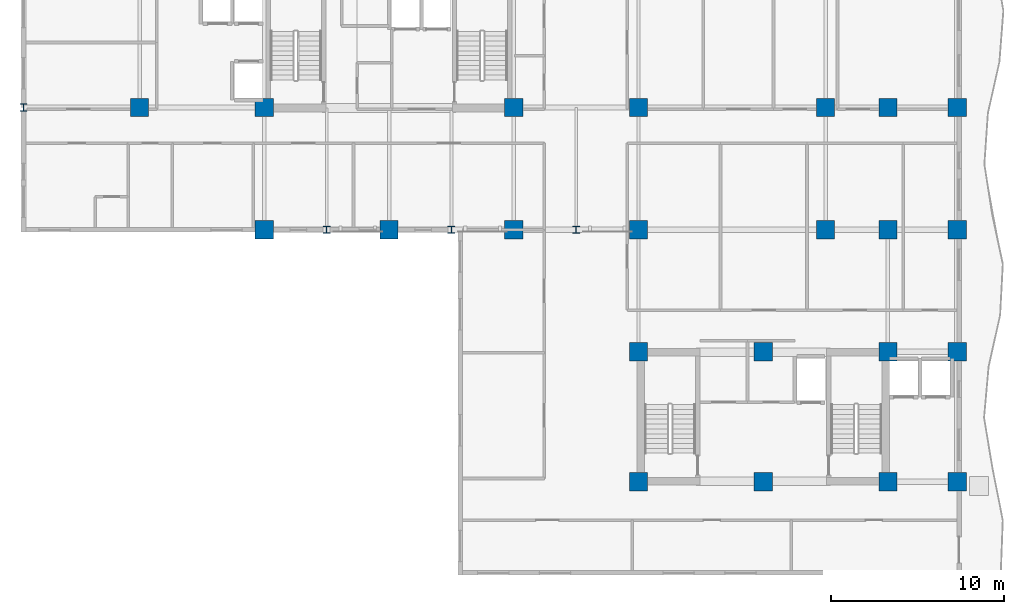
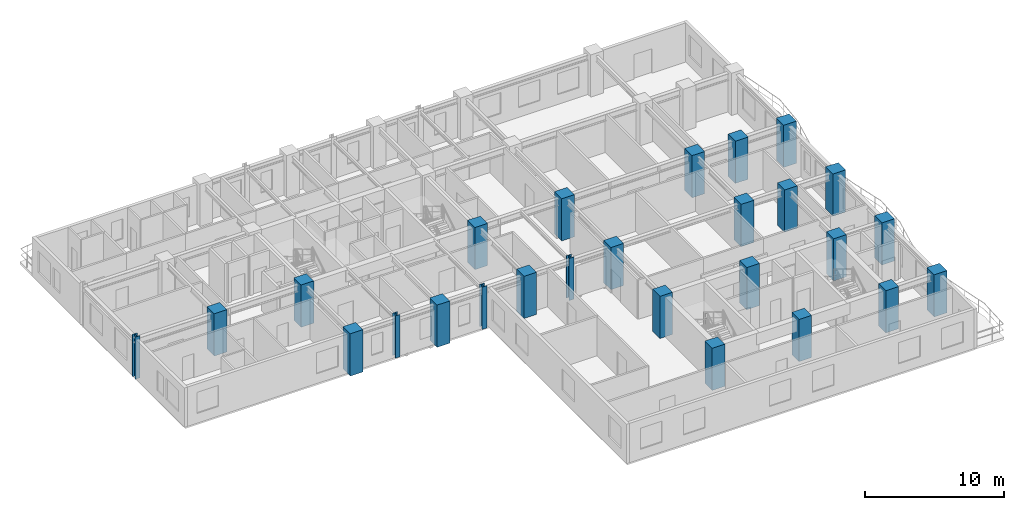
# One storey, part 1 of 13: 26 columns.
"""IFC4 building model written with IfcOpenShell, lengths in metres."""

import ifcopenshell
import ifcopenshell.guid

model = None  # the IFC model being written
_history = None  # IfcOwnerHistory: only IFC2X3 demands one
_inside = {}  # id of a spatial element -> (the spatial element, [elements in it])
_under = {}  # id of a project, library or spatial element -> (it, [spatial elements below it])
_declared = {}  # id of a project -> (the project, [libraries it declares])
_typed = {}  # id of a type object -> (the type object, [elements of that type])
_made_of = {}  # id of a material, layer set ... -> (it, [elements and type objects made of it])


def new_model(schema):
    """Start an empty IFC model of exactly this schema.

    Asked for "IFC4X3", IfcOpenShell would pick the latest addendum, in which some entities
    have other attributes; the version numbers below select the first issue.
    IFC2X3 requires an IfcOwnerHistory on every rooted entity: one is made here for all.
    """
    global model, _history
    if schema == "IFC4X3":
        model = ifcopenshell.file(schema_version=(4, 3, 0, 0))
    else:
        model = ifcopenshell.file(schema=schema)
    _inside.clear()
    _under.clear()
    _declared.clear()
    _typed.clear()
    _made_of.clear()
    _history = None
    if model.schema == "IFC2X3":
        org = make("IfcOrganization", Name="unknown")
        user = make(
            "IfcPersonAndOrganization",
            ThePerson=make("IfcPerson", FamilyName="unknown"),
            TheOrganization=org,
        )
        app = make(
            "IfcApplication",
            ApplicationDeveloper=org,
            Version="unknown",
            ApplicationFullName="unknown",
            ApplicationIdentifier="unknown",
        )
        _history = make(
            "IfcOwnerHistory",
            OwningUser=user,
            OwningApplication=app,
            ChangeAction="ADDED",
            CreationDate=0,
        )
    return model


def make(cls, **values):
    """One entity of the class cls with the attributes given. An attribute that is None is left unset."""
    return model.create_entity(
        cls, **{name: value for name, value in values.items() if value is not None}
    )


def rooted(cls, **values):
    """An entity with a GlobalId (a new one), such as an element, a storey or a relation."""
    return make(cls, GlobalId=ifcopenshell.guid.new(), OwnerHistory=_history, **values)


def si_unit(unit_type, name, prefix=None):
    """IfcSIUnit, for example si_unit("LENGTHUNIT", "METRE", prefix="MILLI")."""
    return make("IfcSIUnit", UnitType=unit_type, Prefix=prefix, Name=name)


def assignment(units):
    """IfcUnitAssignment: the units of a project."""
    return None if units is None else make("IfcUnitAssignment", Units=units)


def point(xyz):
    """IfcCartesianPoint."""
    return None if xyz is None else make("IfcCartesianPoint", Coordinates=xyz)


def direction(xyz):
    """IfcDirection."""
    return None if xyz is None else make("IfcDirection", DirectionRatios=xyz)


def frame(location, z_axis=None, x_axis=None):
    """IfcAxis2Placement3D, a coordinate frame: its origin and axes. An axis left out is left unset."""
    return make(
        "IfcAxis2Placement3D",
        Location=point(location),
        Axis=direction(z_axis),
        RefDirection=direction(x_axis),
    )


def frame_2d(location, x_axis=None):
    """IfcAxis2Placement2D, a coordinate frame in the plane: its origin and x axis."""
    return make(
        "IfcAxis2Placement2D", Location=point(location), RefDirection=direction(x_axis)
    )


def origin():
    """The frame at (0, 0, 0) with its axes left unset."""
    return frame((0.0, 0.0, 0.0))


def origin_2d():
    """The frame at (0, 0) in the plane with its x axis left unset."""
    return frame_2d((0.0, 0.0))


def place(relative_to, where):
    """IfcLocalPlacement: puts the frame where relative to a parent placement (None: the world)."""
    return make(
        "IfcLocalPlacement", PlacementRelTo=relative_to, RelativePlacement=where
    )


def context(
    kind, dimensions, precision=None, world=None, true_north=None, identifier=None
):
    """IfcGeometricRepresentationContext, for example the 3D "Model" context."""
    return make(
        "IfcGeometricRepresentationContext",
        ContextIdentifier=identifier,
        ContextType=kind,
        CoordinateSpaceDimension=dimensions,
        Precision=precision,
        WorldCoordinateSystem=world,
        TrueNorth=true_north,
    )


def subcontext(parent, identifier, kind, view, scale=None):
    """IfcGeometricRepresentationSubContext, for example "Body" below "Model"."""
    return make(
        "IfcGeometricRepresentationSubContext",
        ContextIdentifier=identifier,
        ContextType=kind,
        ParentContext=parent,
        TargetScale=scale,
        TargetView=view,
    )


def project(units=None, contexts=None):
    """IfcProject with its units and contexts."""
    return rooted(
        "IfcProject",
        Name="project",
        RepresentationContexts=contexts,
        UnitsInContext=assignment(units),
    )


def spatial(cls, under=None, at=None, **own):
    """A site, building, storey or space (cls), placed at a placement, below another one or the project."""
    s = rooted(cls, ObjectPlacement=at, **own)
    if under is not None:
        _under.setdefault(under.id(), (under, []))[1].append(s)
    return s


def profile(cls, at=None, kind="AREA", **sizes):
    """A parametric profile (cls). Its sizes go by their IFC names, for example OverallWidth=200.0."""
    return make(cls, ProfileType=kind, Position=at, **sizes)


def rectangle(**sizes):
    """IfcRectangleProfileDef."""
    return profile("IfcRectangleProfileDef", **sizes)


def i_section(**sizes):
    """IfcIShapeProfileDef."""
    return profile("IfcIShapeProfileDef", **sizes)


def extrude(swept, where, along, depth):
    """IfcExtrudedAreaSolid: the profile swept, set in the frame where, extruded along a direction by depth."""
    return make(
        "IfcExtrudedAreaSolid",
        SweptArea=swept,
        Position=where,
        ExtrudedDirection=direction(along),
        Depth=depth,
    )


def shape(context_of_items, identifier, shape_type, items):
    """IfcShapeRepresentation: the items that make up one representation, for example the "Body"."""
    return make(
        "IfcShapeRepresentation",
        ContextOfItems=context_of_items,
        RepresentationIdentifier=identifier,
        RepresentationType=shape_type,
        Items=items,
    )


def source(mapping_origin, context_of_items, identifier, shape_type, items):
    """IfcRepresentationMap: a shape defined once, which mapped items show again and again."""
    return make(
        "IfcRepresentationMap",
        MappingOrigin=mapping_origin,
        MappedRepresentation=shape(context_of_items, identifier, shape_type, items),
    )


def transform(
    local_origin,
    x_axis=None,
    y_axis=None,
    z_axis=None,
    scale=None,
    scale2=None,
    scale3=None,
    uniform=True,
):
    """IfcCartesianTransformationOperator3D, or its non-uniform kind. x_axis, y_axis, z_axis: its Axis1, 2, 3."""
    if uniform:
        return make(
            "IfcCartesianTransformationOperator3D",
            Axis1=direction(x_axis),
            Axis2=direction(y_axis),
            LocalOrigin=point(local_origin),
            Scale=scale,
            Axis3=direction(z_axis),
        )
    return make(
        "IfcCartesianTransformationOperator3DnonUniform",
        Axis1=direction(x_axis),
        Axis2=direction(y_axis),
        LocalOrigin=point(local_origin),
        Scale=scale,
        Axis3=direction(z_axis),
        Scale2=scale2,
        Scale3=scale3,
    )


def mapped(mapping_source, mapping_target):
    """IfcMappedItem: shows the shape of a source again, moved by a transform."""
    return make(
        "IfcMappedItem", MappingSource=mapping_source, MappingTarget=mapping_target
    )


def material(Name=None, Category=None):
    """IfcMaterial."""
    return make("IfcMaterial", Name=Name, Category=Category)


def material_profile(
    of_material, cross_section, Name=None, Category=None, Priority=None
):
    """IfcMaterialProfile: a cross section and its material."""
    return make(
        "IfcMaterialProfile",
        Name=Name,
        Material=of_material,
        Profile=cross_section,
        Priority=Priority,
        Category=Category,
    )


def profile_set(profiles, Name=None, composite=None):
    """IfcMaterialProfileSet."""
    return make(
        "IfcMaterialProfileSet",
        Name=Name,
        MaterialProfiles=profiles,
        CompositeProfile=composite,
    )


def made_of(thing, what):
    """Note that an element or type object is made of a material, layer set ...; save() writes the relation."""
    if what is not None:
        _made_of.setdefault(what.id(), (what, []))[1].append(thing)
    return thing


def type_object(cls, material=None, **own):
    """A type object (cls), such as IfcWallType, which elements share."""
    return made_of(rooted(cls, **own), material)


def element(
    cls,
    number,
    at=None,
    inside=None,
    cuts=None,
    type_object=None,
    material=None,
    context=None,
    identifier="Body",
    shape_type=None,
    held_by="IfcProductDefinitionShape",
    body=None,
    shapes=None,
    **own,
):
    """One element of the class cls, such as IfcWall. Its Tag is "e" and its number.

    at: its placement. inside: the storey or other place that contains it. cuts: it is an
    opening in that element (IfcRelVoidsElement). A single representation is given by context,
    identifier, shape_type and body (its items); several are given by shapes. held_by: the class
    of the entity that holds the representations. save() writes the other relations.
    """
    e = rooted(cls, Tag="e%d" % number, ObjectPlacement=at, **own)
    if body is not None:
        shapes = [shape(context, identifier, shape_type, body)]
    if shapes is not None:
        e.Representation = make(held_by, Representations=shapes)
    if inside is not None:
        _inside.setdefault(inside.id(), (inside, []))[1].append(e)
    if cuts is not None:
        rooted(
            "IfcRelVoidsElement", RelatingBuildingElement=cuts, RelatedOpeningElement=e
        )
    if type_object is not None:
        _typed.setdefault(type_object.id(), (type_object, []))[1].append(e)
    return made_of(e, material)


def aggregate(whole, parts):
    """IfcRelAggregates: a whole, such as a stair, and the parts it consists of."""
    return rooted("IfcRelAggregates", RelatingObject=whole, RelatedObjects=parts)


def save(model, path):
    """Write the relations noted so far, then the file.

    IfcRelAggregates (storeys below a building ...), IfcRelContainedInSpatialStructure (elements
    in a storey), IfcRelDefinesByType, IfcRelAssociatesMaterial and IfcRelDeclares: one each for
    every whole, place, type object, material and project.
    """
    for whole, parts in _under.values():
        aggregate(whole, parts)
    for where, things in _inside.values():
        rooted(
            "IfcRelContainedInSpatialStructure",
            RelatedElements=things,
            RelatingStructure=where,
        )
    for kind, things in _typed.values():
        rooted("IfcRelDefinesByType", RelatedObjects=things, RelatingType=kind)
    for what, things in _made_of.values():
        rooted("IfcRelAssociatesMaterial", RelatedObjects=things, RelatingMaterial=what)
    for by, libraries in _declared.values():
        rooted("IfcRelDeclares", RelatingContext=by, RelatedDefinitions=libraries)
    model.write(path)


model = new_model("IFC4")

# Units and contexts
model_context = context("Model", 3, precision=1e-05, world=origin(), true_north=direction((0.0, 1.0)))
body_context = subcontext(model_context, "Body", "Model", "MODEL_VIEW")
ifc_project = project(units=[si_unit("LENGTHUNIT", "METRE"), si_unit("AREAUNIT", "SQUARE_METRE"), si_unit("VOLUMEUNIT", "CUBIC_METRE"), si_unit("PLANEANGLEUNIT", "RADIAN"), si_unit("MASSUNIT", "GRAM", prefix="KILO")], contexts=[model_context])

# Site, building, storey
site_placement = place(None, origin())
site = spatial("IfcSite", under=ifc_project, at=site_placement, CompositionType="ELEMENT")
building_placement = place(site_placement, origin())
building = spatial("IfcBuilding", under=site, at=building_placement, Name="Kaliganga Portal Commons", CompositionType="ELEMENT")
storey_placement = place(building_placement, frame((0.0, 0.0, 158.699951171875)))
storey = spatial("IfcBuildingStorey", under=building, at=storey_placement, Name="L40", CompositionType="ELEMENT", Elevation=158.699951171875)

# Columns
ifc_material_1 = material(Name="Concrete C60/75", Category="concrete")
ifc_material_profile_1 = material_profile(ifc_material_1, rectangle(XDim=1.050048828125, YDim=1.050048828125, at=origin_2d()), Name="RC 1050x1050")
ifc_profile_set_1 = profile_set([ifc_material_profile_1], Name="Concrete C60/75")
column_type_1 = type_object("IfcColumnType", Name="COL-MEGA-Z3", PredefinedType="COLUMN", material=ifc_profile_set_1)
shared_shape_1 = source(origin(), body_context, "Body", "SweptSolid", [
    extrude(rectangle(XDim=1.050048828125, YDim=1.050048828125, at=origin_2d()), origin(), (0.0, 0.0, 1.0), 3.699951171875),
])
for number, where, z_axis, x_axis, name in (
    (1, (7.199951171875, 28.64990234375, 0.0), (0.0, 0.0, 1.0), (1.0, 0.0, 0.0), "Column MC-04 L40"),
    (2, (14.39990234375, 21.60009765625, 0.0), (0.0, 0.0, 1.0), (1.0, 0.0, 0.0), "Column MC-04 L40"),
    (3, (14.39990234375, 28.64990234375, 0.0), (0.0, 0.0, 1.0), (1.0, 0.0, 0.0), "Column MC-04 L40"),
    (4, (21.60009765625, 21.60009765625, 0.0), (0.0, 0.0, 1.0), (1.0, 0.0, 0.0), "Column MC-04 L40"),
    (5, (28.800048828125, 21.60009765625, 0.0), (0.0, 0.0, 1.0), (1.0, 0.0, 0.0), "Column MC-04 L40"),
    (6, (28.800048828125, 28.64990234375, 0.0), (0.0, 0.0, 1.0), (1.0, 0.0, 0.0), "Column MC-04 L40"),
    (7, (36.0, 21.60009765625, 0.0), (0.0, 0.0, 1.0), (1.0, 0.0, 0.0), "Column MC-04 L40"),
    (8, (36.0, 28.64990234375, 0.0), (0.0, 0.0, 1.0), (1.0, 0.0, 0.0), "Column MC-04 L40"),
    (9, (46.800048828125, 21.60009765625, 0.0), (0.0, 0.0, 1.0), (1.0, 0.0, 0.0), "Column MC-04 L40"),
    (10, (46.800048828125, 28.64990234375, 0.0), (0.0, 0.0, 1.0), (1.0, 0.0, 0.0), "Column MC-04 L40"),
    (11, (36.0, 7.050048828125, 0.0), (0.0, 0.0, 1.0), (1.0, 0.0, 0.0), "Column MC-04 L40"),
    (12, (36.0, 14.550048828125, 0.0), (0.0, 0.0, 1.0), (1.0, 0.0, 0.0), "Column MC-04 L40"),
    (13, (43.199951171875, 7.050048828125, 0.0), (0.0, 0.0, 1.0), (1.0, 0.0, 0.0), "Column MC-04 L40"),
    (14, (43.199951171875, 14.550048828125, 0.0), (0.0, 0.0, 1.0), (1.0, 0.0, 0.0), "Column MC-04 L40"),
    (15, (50.39990234375, 7.050048828125, 0.0), (0.0, 0.0, 1.0), (1.0, 0.0, 0.0), "Column MC-04 L40"),
    (16, (50.39990234375, 14.550048828125, 0.0), (0.0, 0.0, 1.0), (1.0, 0.0, 0.0), "Column MC-04 L40"),
    (17, (50.39990234375, 21.60009765625, 0.0), (0.0, 0.0, 1.0), (1.0, 0.0, 0.0), "Column MC-04 L40"),
    (18, (50.39990234375, 28.64990234375, 0.0), (0.0, 0.0, 1.0), (1.0, 0.0, 0.0), "Column MC-04 L40"),
    (19, (54.39990234375, 7.050048828125, 0.0), (0.0, 0.0, 1.0), (1.0, 0.0, 0.0), "Column MC-04 L40"),
    (20, (54.39990234375, 14.550048828125, 0.0), (0.0, 0.0, 1.0), (1.0, 0.0, 0.0), "Column MC-04 L40"),
    (21, (54.39990234375, 21.60009765625, 0.0), (0.0, 0.0, 1.0), (1.0, 0.0, 0.0), "Column MC-04 L40"),
    (22, (54.39990234375, 28.64990234375, 0.0), (0.0, 0.0, 1.0), (1.0, 0.0, 0.0), "Column MC-04 L40"),
):
    element("IfcColumn", number, at=place(storey_placement, frame(where, z_axis=z_axis, x_axis=x_axis)), inside=storey, type_object=column_type_1, Name=name, PredefinedType="COLUMN", context=body_context, shape_type="MappedRepresentation", body=[
        mapped(shared_shape_1, transform((0.0, 0.0, 0.0), x_axis=(1.0, 0.0, 0.0), y_axis=(0.0, 1.0, 0.0), z_axis=(0.0, 0.0, 1.0), scale=1.0)),
    ])
ifc_material_2 = material(Name="Structural steel S460M", Category="steel")
ifc_material_profile_2 = material_profile(ifc_material_2, i_section(OverallWidth=0.404052734375, OverallDepth=0.4140625, WebThickness=0.0205078125, FlangeThickness=0.028076171875, FilletRadius=0.014892578125, at=origin_2d()), Name="HD 400x347")
ifc_profile_set_2 = profile_set([ifc_material_profile_2], Name="Structural steel S460M wide-flange")
column_type_2 = type_object("IfcColumnType", Name="COL-TUBE-B3", PredefinedType="COLUMN", material=ifc_profile_set_2)
shared_shape_2 = source(origin(), body_context, "Body", "SweptSolid", [
    extrude(i_section(OverallWidth=0.404052734375, OverallDepth=0.4140625, WebThickness=0.0205078125, FlangeThickness=0.028076171875, FilletRadius=0.014892578125, at=origin_2d()), origin(), (0.0, 0.0, 1.0), 3.699951171875),
])
for number, where, z_axis, x_axis, name in (
    (23, (0.5, 28.64990234375, 0.0), (0.0, 0.0, 1.0), (1.0, 0.0, 0.0), "Column TC-03 L40"),
    (24, (18.0, 21.60009765625, 0.0), (0.0, 0.0, 1.0), (1.0, 0.0, 0.0), "Column TC-03 L40"),
    (25, (25.199951171875, 21.60009765625, 0.0), (0.0, 0.0, 1.0), (1.0, 0.0, 0.0), "Column TC-03 L40"),
    (26, (32.39990234375, 21.60009765625, 0.0), (0.0, 0.0, 1.0), (1.0, 0.0, 0.0), "Column TC-03 L40"),
):
    element("IfcColumn", number, at=place(storey_placement, frame(where, z_axis=z_axis, x_axis=x_axis)), inside=storey, type_object=column_type_2, Name=name, PredefinedType="COLUMN", context=body_context, shape_type="MappedRepresentation", body=[
        mapped(shared_shape_2, transform((0.0, 0.0, 0.0), x_axis=(1.0, 0.0, 0.0), y_axis=(0.0, 1.0, 0.0), z_axis=(0.0, 0.0, 1.0), scale=1.0)),
    ])

save(model, "model.ifc")
